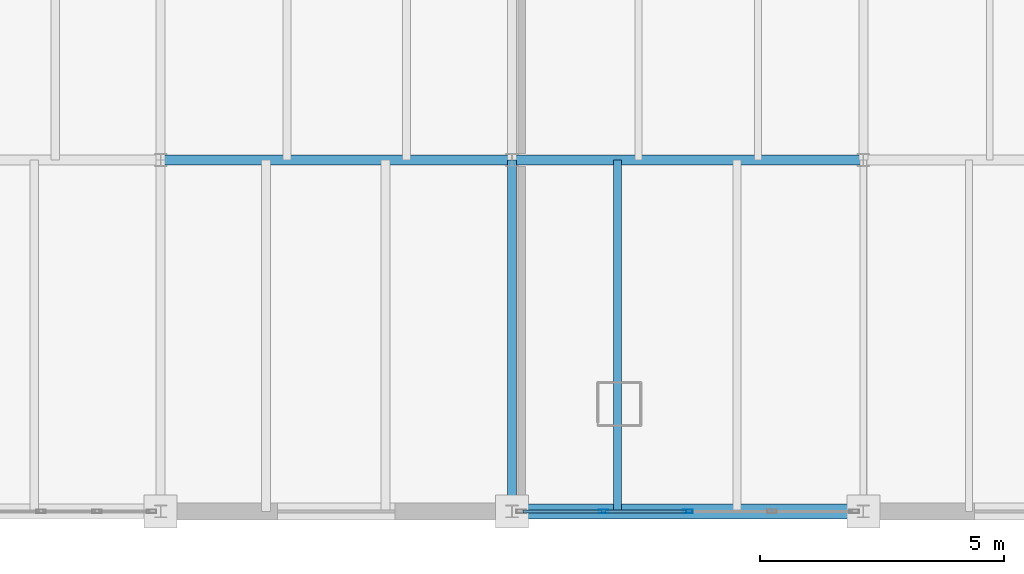
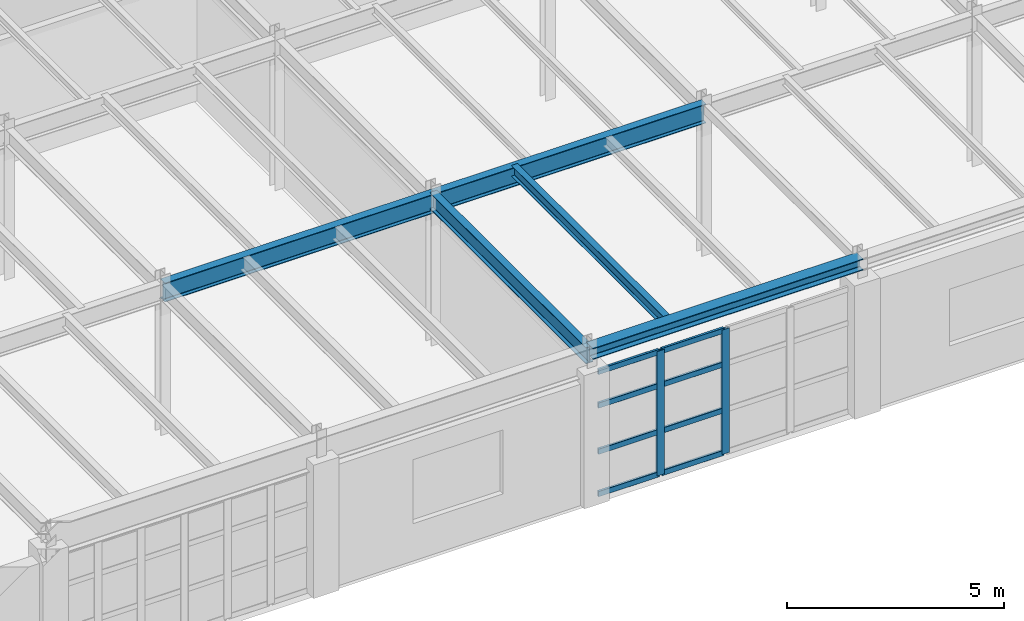
# One storey, part 47 of 137: 10 members, 5 beams, 1 element without a shape of its own.
"""IFC4 building model written with IfcOpenShell, lengths in metres."""

from ifc_helpers import new_model, si_unit, direction, frame, origin, origin_2d, place, context, subcontext, project, spatial, hollow_rectangle, i_section, extrude, material, layer, layer_set, material_profile, profile_set, type_object, element, aggregate, save


model = new_model("IFC4")

# Units and contexts
model_context = context("Model", 3, precision=1e-05, world=origin(), true_north=direction((0.0, 1.0)))
body_context = subcontext(model_context, "Body", "Model", "MODEL_VIEW")
ifc_project = project(units=[si_unit("LENGTHUNIT", "METRE"), si_unit("AREAUNIT", "SQUARE_METRE"), si_unit("VOLUMEUNIT", "CUBIC_METRE"), si_unit("PLANEANGLEUNIT", "RADIAN"), si_unit("MASSUNIT", "GRAM", prefix="KILO")], contexts=[model_context])

# Site, building, storey
site_placement = place(None, origin())
site = spatial("IfcSite", under=ifc_project, at=site_placement, CompositionType="ELEMENT")
building_placement = place(site_placement, origin())
building = spatial("IfcBuilding", under=site, at=building_placement, Name="Kemerveld Promenade Tramway Depot", CompositionType="ELEMENT")
storey_placement = place(building_placement, frame((0.0, 0.0, 5.39990234375)))
storey = spatial("IfcBuildingStorey", under=building, at=storey_placement, Name="L01", CompositionType="ELEMENT", Elevation=5.39990234375)

# Beams
ifc_material_1 = material(Name="Steel S355", Category="steel")
ifc_material_profile_1 = material_profile(ifc_material_1, i_section(OverallWidth=0.2099609375, OverallDepth=0.53662109375, WebThickness=0.0107421875, FlangeThickness=0.017333984375, FilletRadius=0.0126953125, at=origin_2d()), Name="533x210x101 UB")
ifc_profile_set_1 = profile_set([ifc_material_profile_1], Name="Steel S355")
beam_type_1 = type_object("IfcBeamType", Name="BM-G05", PredefinedType="BEAM", material=ifc_profile_set_1)
for number, where, z_axis, x_axis, name in (
    (1, (100.800048828125, 7.199951171875, 3.981689453125), (1.0, 0.0, 0.0), (0.0, 1.0, 0.0), "BMX-L01-15-16-B"),
    (2, (108.0, 7.199951171875, 3.981689453125), (1.0, 0.0, 0.0), (0.0, 1.0, 0.0), "BMX-L01-16-17-B"),
):
    element("IfcBeam", number, at=place(storey_placement, frame(where, z_axis=z_axis, x_axis=x_axis)), inside=storey, type_object=beam_type_1, Name=name, PredefinedType="BEAM", context=body_context, shape_type="SweptSolid", body=[
        extrude(i_section(OverallWidth=0.2099609375, OverallDepth=0.53662109375, WebThickness=0.0107421875, FlangeThickness=0.017333984375, FilletRadius=0.0126953125, at=origin_2d()), origin(), (0.0, 0.0, 1.0), 7.199951171875),
    ])
ifc_material_profile_2 = material_profile(ifc_material_1, i_section(OverallWidth=0.19140625, OverallDepth=0.4599609375, WebThickness=0.010009765625, FlangeThickness=0.01611328125, FilletRadius=0.01025390625, at=origin_2d()), Name="457x191x82 UB")
ifc_profile_set_2 = profile_set([ifc_material_profile_2], Name="Steel S355")
beam_type_2 = type_object("IfcBeamType", Name="BM-G06", PredefinedType="BEAM", material=ifc_profile_set_2)
beam_1_placement = place(storey_placement, frame((108.0, 0.0, 4.02001953125), z_axis=(0.0, 1.0, 0.0), x_axis=(-1.0, 0.0, 0.0)))
element("IfcBeam", 3, at=beam_1_placement, inside=storey, type_object=beam_type_2, Name="BMY-L01-16-A-B", PredefinedType="BEAM", context=body_context, shape_type="SweptSolid", body=[
    extrude(i_section(OverallWidth=0.19140625, OverallDepth=0.4599609375, WebThickness=0.010009765625, FlangeThickness=0.01611328125, FilletRadius=0.01025390625, at=origin_2d()), origin(), (0.0, 0.0, 1.0), 7.199951171875),
])
ifc_material_profile_3 = material_profile(ifc_material_1, i_section(OverallWidth=0.307373046875, OverallDepth=0.314453125, WebThickness=0.011962890625, FlangeThickness=0.018798828125, FilletRadius=0.01513671875, at=origin_2d()), Name="305x305x118 UC")
ifc_profile_set_3 = profile_set([ifc_material_profile_3], Name="Steel S355")
beam_type_3 = type_object("IfcBeamType", Name="BM-G12", PredefinedType="BEAM", material=ifc_profile_set_3)
beam_2_placement = place(storey_placement, frame((108.0, 0.0, 4.1279296875), z_axis=(1.0, 0.0, 0.0), x_axis=(0.0, 1.0, 0.0)))
element("IfcBeam", 4, at=beam_2_placement, inside=storey, type_object=beam_type_3, Name="BMX-L01-16-17-A", PredefinedType="BEAM", context=body_context, shape_type="SweptSolid", body=[
    extrude(i_section(OverallWidth=0.307373046875, OverallDepth=0.314453125, WebThickness=0.011962890625, FlangeThickness=0.018798828125, FilletRadius=0.01513671875, at=origin_2d()), origin(), (0.0, 0.0, 1.0), 7.199951171875),
])
ifc_material_profile_4 = material_profile(ifc_material_1, i_section(OverallWidth=0.165771484375, OverallDepth=0.306640625, WebThickness=0.006591796875, FlangeThickness=0.01171875, FilletRadius=0.0087890625, at=origin_2d()), Name="305x165x46 UB")
ifc_profile_set_4 = profile_set([ifc_material_profile_4], Name="Steel S355")
beam_type_4 = type_object("IfcBeamType", Name="BM-J01", PredefinedType="JOIST", material=ifc_profile_set_4)
beam_3_placement = place(storey_placement, frame((110.159912109375, 0.0, 4.0966796875), z_axis=(0.0, 1.0, 0.0), x_axis=(-1.0, 0.0, 0.0)))
element("IfcBeam", 5, at=beam_3_placement, inside=storey, type_object=beam_type_4, Name="JST-L01-16-A-1", PredefinedType="JOIST", context=body_context, shape_type="SweptSolid", body=[
    extrude(i_section(OverallWidth=0.165771484375, OverallDepth=0.306640625, WebThickness=0.006591796875, FlangeThickness=0.01171875, FilletRadius=0.0087890625, at=origin_2d()), origin(), (0.0, 0.0, 1.0), 7.199951171875),
])

# Curtain wall, members
ifc_material_2 = material(Name="Bronze anodised aluminium and solar glass", Category="aluminium")
ifc_layer = layer(ifc_material_2, 0.199951171875)
ifc_layer_set = layer_set([ifc_layer], Name="CW-SYS-10")
curtain_wall_type = type_object("IfcCurtainWallType", Name="CW-SYS-10", PredefinedType="USERDEFINED", material=ifc_layer_set)
curtain_wall_placement = place(storey_placement, origin())
curtain_wall = element("IfcCurtainWall", 6, at=curtain_wall_placement, inside=storey, type_object=curtain_wall_type, Name="CW-L01-V4S-07", ObjectType="GLAZED_CURTAIN_WALL", PredefinedType="USERDEFINED")
ifc_material_3 = material(Name="Bronze anodised aluminium", Category="aluminium")
ifc_material_profile_5 = material_profile(ifc_material_3, hollow_rectangle(XDim=0.074951171875, YDim=0.199951171875, WallThickness=0.0048828125, InnerFilletRadius=0.001953125, OuterFilletRadius=0.0048828125, at=origin_2d()), Name="CW-MUL-200x75")
ifc_profile_set_5 = profile_set([ifc_material_profile_5], Name="Bronze anodised aluminium")
member_type_1 = type_object("IfcMemberType", Name="CW-MUL-B", PredefinedType="MULLION", material=ifc_profile_set_5)
member_1_placement = place(storey_placement, frame((111.60009765625, 0.0, 0.0), z_axis=(0.0, 0.0, 1.0), x_axis=(0.0, -1.0, 0.0)))
member_1 = element("IfcMember", 7, at=member_1_placement, type_object=member_type_1, Name="CW10 mullion 3", PredefinedType="MULLION", context=body_context, shape_type="SweptSolid", body=[
    extrude(hollow_rectangle(XDim=0.074951171875, YDim=0.199951171875, WallThickness=0.0048828125, InnerFilletRadius=0.001953125, OuterFilletRadius=0.0048828125, at=origin_2d()), origin(), (0.0, 0.0, 1.0), 3.5029296875),
])
member_2_placement = place(storey_placement, frame((109.875, 0.0, 0.0), z_axis=(0.0, 0.0, 1.0), x_axis=(0.0, -1.0, 0.0)))
member_2 = element("IfcMember", 8, at=member_2_placement, type_object=member_type_1, Name="CW10 mullion 4", PredefinedType="MULLION", context=body_context, shape_type="SweptSolid", body=[
    extrude(hollow_rectangle(XDim=0.074951171875, YDim=0.199951171875, WallThickness=0.0048828125, InnerFilletRadius=0.001953125, OuterFilletRadius=0.0048828125, at=origin_2d()), origin(), (0.0, 0.0, 1.0), 3.5029296875),
])
ifc_material_profile_6 = material_profile(ifc_material_3, hollow_rectangle(XDim=0.06494140625, YDim=0.14990234375, WallThickness=0.00439453125, InnerFilletRadius=0.001953125, OuterFilletRadius=0.00439453125, at=origin_2d()), Name="CW-TRN-150x65")
ifc_profile_set_6 = profile_set([ifc_material_profile_6], Name="Bronze anodised aluminium")
member_type_2 = type_object("IfcMemberType", Name="CW-TRN-B", PredefinedType="USERDEFINED", material=ifc_profile_set_6)
member_3_placement = place(storey_placement, frame((111.5625, 0.0, 0.03271484375), z_axis=(-1.0, 0.0, 0.0), x_axis=(0.0, -1.0, 0.0)))
member_3 = element("IfcMember", 9, at=member_3_placement, type_object=member_type_2, Name="CW10 transom 3.1", ObjectType="TRANSOM", PredefinedType="USERDEFINED", context=body_context, shape_type="SweptSolid", body=[
    extrude(hollow_rectangle(XDim=0.06494140625, YDim=0.14990234375, WallThickness=0.00439453125, InnerFilletRadius=0.001953125, OuterFilletRadius=0.00439453125, at=origin_2d()), origin(), (0.0, 0.0, 1.0), 1.64990234375),
])
member_4_placement = place(storey_placement, frame((111.5625, 0.0, 1.22607421875), z_axis=(-1.0, 0.0, 0.0), x_axis=(0.0, -1.0, 0.0)))
member_4 = element("IfcMember", 10, at=member_4_placement, type_object=member_type_2, Name="CW10 transom 3.2", ObjectType="TRANSOM", PredefinedType="USERDEFINED", context=body_context, shape_type="SweptSolid", body=[
    extrude(hollow_rectangle(XDim=0.06494140625, YDim=0.14990234375, WallThickness=0.00439453125, InnerFilletRadius=0.001953125, OuterFilletRadius=0.00439453125, at=origin_2d()), origin(), (0.0, 0.0, 1.0), 1.64990234375),
])
member_5_placement = place(storey_placement, frame((111.5625, 0.0, 2.522216796875), z_axis=(-1.0, 0.0, 0.0), x_axis=(0.0, -1.0, 0.0)))
member_5 = element("IfcMember", 11, at=member_5_placement, type_object=member_type_2, Name="CW10 transom 3.3", ObjectType="TRANSOM", PredefinedType="USERDEFINED", context=body_context, shape_type="SweptSolid", body=[
    extrude(hollow_rectangle(XDim=0.06494140625, YDim=0.14990234375, WallThickness=0.00439453125, InnerFilletRadius=0.001953125, OuterFilletRadius=0.00439453125, at=origin_2d()), origin(), (0.0, 0.0, 1.0), 1.64990234375),
])
member_6_placement = place(storey_placement, frame((111.5625, 0.0, 3.470458984375), z_axis=(-1.0, 0.0, 0.0), x_axis=(0.0, -1.0, 0.0)))
member_6 = element("IfcMember", 12, at=member_6_placement, type_object=member_type_2, Name="CW10 transom 3.4", ObjectType="TRANSOM", PredefinedType="USERDEFINED", context=body_context, shape_type="SweptSolid", body=[
    extrude(hollow_rectangle(XDim=0.06494140625, YDim=0.14990234375, WallThickness=0.00439453125, InnerFilletRadius=0.001953125, OuterFilletRadius=0.00439453125, at=origin_2d()), origin(), (0.0, 0.0, 1.0), 1.64990234375),
])
member_7_placement = place(storey_placement, frame((109.837646484375, 0.0, 0.03271484375), z_axis=(-1.0, 0.0, 0.0), x_axis=(0.0, -1.0, 0.0)))
member_7 = element("IfcMember", 13, at=member_7_placement, type_object=member_type_2, Name="CW10 transom 4.1", ObjectType="TRANSOM", PredefinedType="USERDEFINED", context=body_context, shape_type="SweptSolid", body=[
    extrude(hollow_rectangle(XDim=0.06494140625, YDim=0.14990234375, WallThickness=0.00439453125, InnerFilletRadius=0.001953125, OuterFilletRadius=0.00439453125, at=origin_2d()), origin(), (0.0, 0.0, 1.0), 1.612548828125),
])
member_8_placement = place(storey_placement, frame((109.837646484375, 0.0, 1.22607421875), z_axis=(-1.0, 0.0, 0.0), x_axis=(0.0, -1.0, 0.0)))
member_8 = element("IfcMember", 14, at=member_8_placement, type_object=member_type_2, Name="CW10 transom 4.2", ObjectType="TRANSOM", PredefinedType="USERDEFINED", context=body_context, shape_type="SweptSolid", body=[
    extrude(hollow_rectangle(XDim=0.06494140625, YDim=0.14990234375, WallThickness=0.00439453125, InnerFilletRadius=0.001953125, OuterFilletRadius=0.00439453125, at=origin_2d()), origin(), (0.0, 0.0, 1.0), 1.612548828125),
])
member_9_placement = place(storey_placement, frame((109.837646484375, 0.0, 2.522216796875), z_axis=(-1.0, 0.0, 0.0), x_axis=(0.0, -1.0, 0.0)))
member_9 = element("IfcMember", 15, at=member_9_placement, type_object=member_type_2, Name="CW10 transom 4.3", ObjectType="TRANSOM", PredefinedType="USERDEFINED", context=body_context, shape_type="SweptSolid", body=[
    extrude(hollow_rectangle(XDim=0.06494140625, YDim=0.14990234375, WallThickness=0.00439453125, InnerFilletRadius=0.001953125, OuterFilletRadius=0.00439453125, at=origin_2d()), origin(), (0.0, 0.0, 1.0), 1.612548828125),
])
member_10_placement = place(storey_placement, frame((109.837646484375, 0.0, 3.470458984375), z_axis=(-1.0, 0.0, 0.0), x_axis=(0.0, -1.0, 0.0)))
member_10 = element("IfcMember", 16, at=member_10_placement, type_object=member_type_2, Name="CW10 transom 4.4", ObjectType="TRANSOM", PredefinedType="USERDEFINED", context=body_context, shape_type="SweptSolid", body=[
    extrude(hollow_rectangle(XDim=0.06494140625, YDim=0.14990234375, WallThickness=0.00439453125, InnerFilletRadius=0.001953125, OuterFilletRadius=0.00439453125, at=origin_2d()), origin(), (0.0, 0.0, 1.0), 1.612548828125),
])
aggregate(curtain_wall, [member_1, member_2, member_3, member_4, member_5, member_6, member_7, member_8, member_9, member_10])

save(model, "model.ifc")
